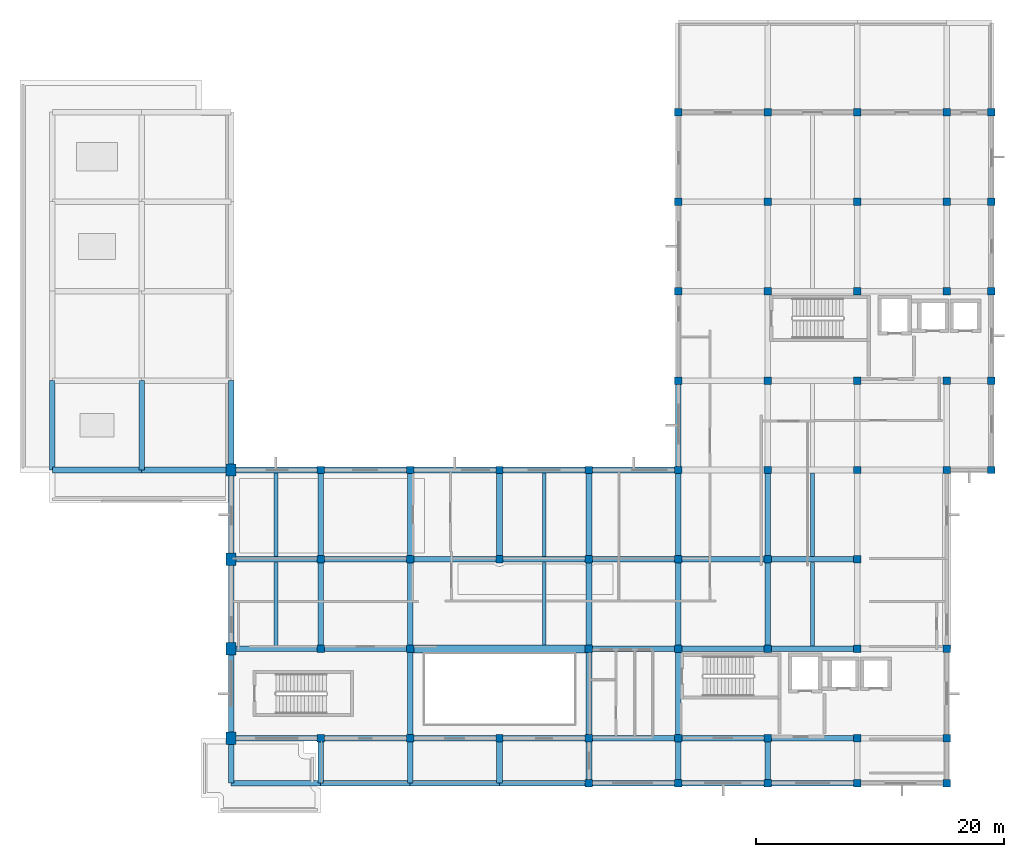
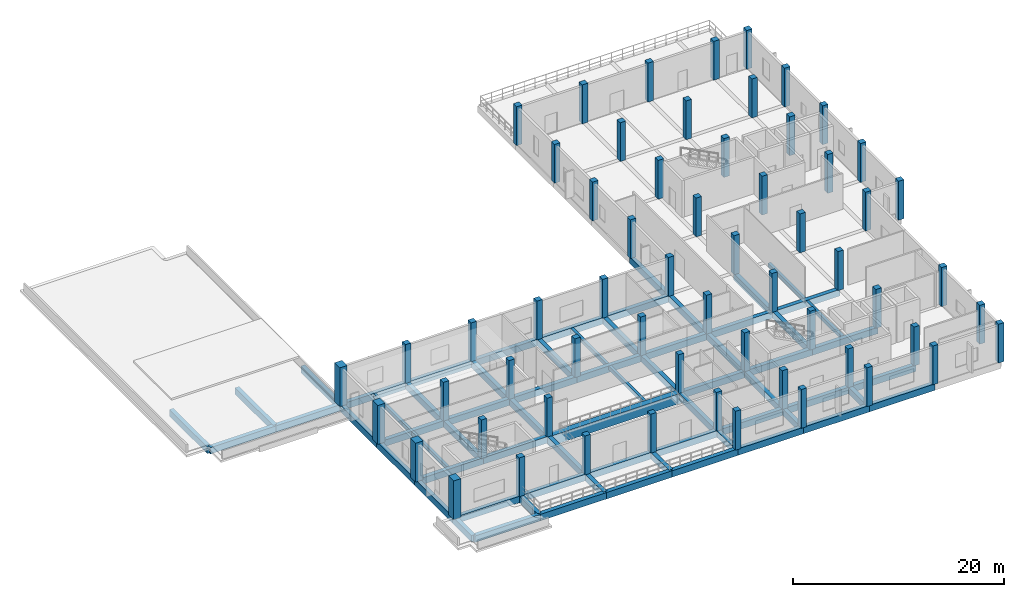
# One storey, part 1 of 14: 68 beams, 60 columns.
"""IFC4 building model written with IfcOpenShell, lengths in metres."""

from ifc_helpers import new_model, si_unit, direction, frame, origin, origin_2d, place, context, subcontext, project, spatial, rectangle, extrude, material, material_profile, profile_set, type_object, element, save


model = new_model("IFC4")

# Units and contexts
model_context = context("Model", 3, precision=1e-05, world=origin(), true_north=direction((0.0, 1.0)))
body_context = subcontext(model_context, "Body", "Model", "MODEL_VIEW")
ifc_project = project(units=[si_unit("LENGTHUNIT", "METRE"), si_unit("AREAUNIT", "SQUARE_METRE"), si_unit("VOLUMEUNIT", "CUBIC_METRE"), si_unit("PLANEANGLEUNIT", "RADIAN"), si_unit("MASSUNIT", "GRAM", prefix="KILO")], contexts=[model_context])

# Site, building, storey
site_placement = place(None, origin())
site = spatial("IfcSite", under=ifc_project, at=site_placement, CompositionType="ELEMENT")
building_placement = place(site_placement, origin())
building = spatial("IfcBuilding", under=site, at=building_placement, Name="Seraya Terrace Polytechnic", CompositionType="ELEMENT")
storey_placement = place(building_placement, frame((0.0, 0.0, 27.89990234375)))
storey = spatial("IfcBuildingStorey", under=building, at=storey_placement, Name="L06", CompositionType="ELEMENT", Elevation=27.89990234375)

# Columns
ifc_material = material(Name="Concrete C40/50", Category="concrete")
ifc_material_profile_1 = material_profile(ifc_material, rectangle(XDim=0.60009765625, YDim=0.60009765625, at=origin_2d()), Name="RC 600x600")
ifc_profile_set_1 = profile_set([ifc_material_profile_1], Name="Concrete C40/50")
column_type_1 = type_object("IfcColumnType", Name="C-09", PredefinedType="COLUMN", material=ifc_profile_set_1)
for number, where, z_axis, x_axis, name in (
    (1, (50.39990234375, 7.199951171875, 0.0), (0.0, 0.0, 1.0), (1.0, 0.0, 0.0), "Column C-09 L06 (50.4, 7.2)"),
    (2, (50.39990234375, 14.39990234375, 0.0), (0.0, 0.0, 1.0), (1.0, 0.0, 0.0), "Column C-09 L06 (50.4, 14.4)"),
    (3, (50.39990234375, 21.60009765625, 0.0), (0.0, 0.0, 1.0), (1.0, 0.0, 0.0), "Column C-09 L06 (50.4, 21.6)"),
    (4, (50.39990234375, 28.800048828125, 0.0), (0.0, 0.0, 1.0), (1.0, 0.0, 0.0), "Column C-09 L06 (50.4, 28.8)"),
    (5, (57.60009765625, 7.199951171875, 0.0), (0.0, 0.0, 1.0), (1.0, 0.0, 0.0), "Column C-09 L06 (57.6, 7.2)"),
    (6, (57.60009765625, 14.39990234375, 0.0), (0.0, 0.0, 1.0), (1.0, 0.0, 0.0), "Column C-09 L06 (57.6, 14.4)"),
    (7, (57.60009765625, 21.60009765625, 0.0), (0.0, 0.0, 1.0), (1.0, 0.0, 0.0), "Column C-09 L06 (57.6, 21.6)"),
    (8, (57.60009765625, 28.800048828125, 0.0), (0.0, 0.0, 1.0), (1.0, 0.0, 0.0), "Column C-09 L06 (57.6, 28.8)"),
    (9, (64.800048828125, 7.199951171875, 0.0), (0.0, 0.0, 1.0), (1.0, 0.0, 0.0), "Column C-09 L06 (64.8, 7.2)"),
    (10, (64.800048828125, 21.60009765625, 0.0), (0.0, 0.0, 1.0), (1.0, 0.0, 0.0), "Column C-09 L06 (64.8, 21.6)"),
    (11, (64.800048828125, 28.800048828125, 0.0), (0.0, 0.0, 1.0), (1.0, 0.0, 0.0), "Column C-09 L06 (64.8, 28.8)"),
    (12, (72.0, 3.60009765625, 0.0), (0.0, 0.0, 1.0), (1.0, 0.0, 0.0), "Column C-09 L06 (72.0, 3.6)"),
    (13, (72.0, 7.199951171875, 0.0), (0.0, 0.0, 1.0), (1.0, 0.0, 0.0), "Column C-09 L06 (72.0, 7.2)"),
    (14, (72.0, 14.39990234375, 0.0), (0.0, 0.0, 1.0), (1.0, 0.0, 0.0), "Column C-09 L06 (72.0, 14.4)"),
    (15, (72.0, 21.60009765625, 0.0), (0.0, 0.0, 1.0), (1.0, 0.0, 0.0), "Column C-09 L06 (72.0, 21.6)"),
    (16, (72.0, 28.800048828125, 0.0), (0.0, 0.0, 1.0), (1.0, 0.0, 0.0), "Column C-09 L06 (72.0, 28.8)"),
    (17, (79.199951171875, 3.60009765625, 0.0), (0.0, 0.0, 1.0), (1.0, 0.0, 0.0), "Column C-09 L06 (79.2, 3.6)"),
    (18, (79.199951171875, 7.199951171875, 0.0), (0.0, 0.0, 1.0), (1.0, 0.0, 0.0), "Column C-09 L06 (79.2, 7.2)"),
    (19, (79.199951171875, 14.39990234375, 0.0), (0.0, 0.0, 1.0), (1.0, 0.0, 0.0), "Column C-09 L06 (79.2, 14.4)"),
    (20, (79.199951171875, 21.60009765625, 0.0), (0.0, 0.0, 1.0), (1.0, 0.0, 0.0), "Column C-09 L06 (79.2, 21.6)"),
    (21, (79.199951171875, 28.800048828125, 0.0), (0.0, 0.0, 1.0), (1.0, 0.0, 0.0), "Column C-09 L06 (79.2, 28.8)"),
    (22, (79.199951171875, 36.0, 0.0), (0.0, 0.0, 1.0), (1.0, 0.0, 0.0), "Column C-09 L06 (79.2, 36.0)"),
    (23, (79.199951171875, 43.199951171875, 0.0), (0.0, 0.0, 1.0), (1.0, 0.0, 0.0), "Column C-09 L06 (79.2, 43.2)"),
    (24, (79.199951171875, 50.39990234375, 0.0), (0.0, 0.0, 1.0), (1.0, 0.0, 0.0), "Column C-09 L06 (79.2, 50.4)"),
    (25, (79.199951171875, 57.60009765625, 0.0), (0.0, 0.0, 1.0), (1.0, 0.0, 0.0), "Column C-09 L06 (79.2, 57.6)"),
    (26, (86.39990234375, 3.60009765625, 0.0), (0.0, 0.0, 1.0), (1.0, 0.0, 0.0), "Column C-09 L06 (86.4, 3.6)"),
    (27, (86.39990234375, 7.199951171875, 0.0), (0.0, 0.0, 1.0), (1.0, 0.0, 0.0), "Column C-09 L06 (86.4, 7.2)"),
    (28, (86.39990234375, 14.39990234375, 0.0), (0.0, 0.0, 1.0), (1.0, 0.0, 0.0), "Column C-09 L06 (86.4, 14.4)"),
    (29, (86.39990234375, 21.60009765625, 0.0), (0.0, 0.0, 1.0), (1.0, 0.0, 0.0), "Column C-09 L06 (86.4, 21.6)"),
    (30, (86.39990234375, 28.800048828125, 0.0), (0.0, 0.0, 1.0), (1.0, 0.0, 0.0), "Column C-09 L06 (86.4, 28.8)"),
    (31, (86.39990234375, 36.0, 0.0), (0.0, 0.0, 1.0), (1.0, 0.0, 0.0), "Column C-09 L06 (86.4, 36.0)"),
    (32, (86.39990234375, 43.199951171875, 0.0), (0.0, 0.0, 1.0), (1.0, 0.0, 0.0), "Column C-09 L06 (86.4, 43.2)"),
    (33, (86.39990234375, 50.39990234375, 0.0), (0.0, 0.0, 1.0), (1.0, 0.0, 0.0), "Column C-09 L06 (86.4, 50.4)"),
    (34, (86.39990234375, 57.60009765625, 0.0), (0.0, 0.0, 1.0), (1.0, 0.0, 0.0), "Column C-09 L06 (86.4, 57.6)"),
    (35, (93.60009765625, 3.60009765625, 0.0), (0.0, 0.0, 1.0), (1.0, 0.0, 0.0), "Column C-09 L06 (93.6, 3.6)"),
    (36, (93.60009765625, 7.199951171875, 0.0), (0.0, 0.0, 1.0), (1.0, 0.0, 0.0), "Column C-09 L06 (93.6, 7.2)"),
    (37, (93.60009765625, 14.39990234375, 0.0), (0.0, 0.0, 1.0), (1.0, 0.0, 0.0), "Column C-09 L06 (93.6, 14.4)"),
    (38, (93.60009765625, 21.60009765625, 0.0), (0.0, 0.0, 1.0), (1.0, 0.0, 0.0), "Column C-09 L06 (93.6, 21.6)"),
    (39, (93.60009765625, 28.800048828125, 0.0), (0.0, 0.0, 1.0), (1.0, 0.0, 0.0), "Column C-09 L06 (93.6, 28.8)"),
    (40, (93.60009765625, 36.0, 0.0), (0.0, 0.0, 1.0), (1.0, 0.0, 0.0), "Column C-09 L06 (93.6, 36.0)"),
    (41, (93.60009765625, 43.199951171875, 0.0), (0.0, 0.0, 1.0), (1.0, 0.0, 0.0), "Column C-09 L06 (93.6, 43.2)"),
    (42, (93.60009765625, 50.39990234375, 0.0), (0.0, 0.0, 1.0), (1.0, 0.0, 0.0), "Column C-09 L06 (93.6, 50.4)"),
    (43, (93.60009765625, 57.60009765625, 0.0), (0.0, 0.0, 1.0), (1.0, 0.0, 0.0), "Column C-09 L06 (93.6, 57.6)"),
    (44, (100.800048828125, 3.60009765625, 0.0), (0.0, 0.0, 1.0), (1.0, 0.0, 0.0), "Column C-09 L06 (100.8, 3.6)"),
    (45, (100.800048828125, 7.199951171875, 0.0), (0.0, 0.0, 1.0), (1.0, 0.0, 0.0), "Column C-09 L06 (100.8, 7.2)"),
    (46, (100.800048828125, 14.39990234375, 0.0), (0.0, 0.0, 1.0), (1.0, 0.0, 0.0), "Column C-09 L06 (100.8, 14.4)"),
    (47, (100.800048828125, 28.800048828125, 0.0), (0.0, 0.0, 1.0), (1.0, 0.0, 0.0), "Column C-09 L06 (100.8, 28.8)"),
    (48, (100.800048828125, 36.0, 0.0), (0.0, 0.0, 1.0), (1.0, 0.0, 0.0), "Column C-09 L06 (100.8, 36.0)"),
    (49, (100.800048828125, 43.199951171875, 0.0), (0.0, 0.0, 1.0), (1.0, 0.0, 0.0), "Column C-09 L06 (100.8, 43.2)"),
    (50, (100.800048828125, 50.39990234375, 0.0), (0.0, 0.0, 1.0), (1.0, 0.0, 0.0), "Column C-09 L06 (100.8, 50.4)"),
    (51, (100.800048828125, 57.60009765625, 0.0), (0.0, 0.0, 1.0), (1.0, 0.0, 0.0), "Column C-09 L06 (100.8, 57.6)"),
    (52, (104.39990234375, 28.800048828125, 0.0), (0.0, 0.0, 1.0), (1.0, 0.0, 0.0), "Column C-09 L06 (104.4, 28.8)"),
    (53, (104.39990234375, 36.0, 0.0), (0.0, 0.0, 1.0), (1.0, 0.0, 0.0), "Column C-09 L06 (104.4, 36.0)"),
    (54, (104.39990234375, 43.199951171875, 0.0), (0.0, 0.0, 1.0), (1.0, 0.0, 0.0), "Column C-09 L06 (104.4, 43.2)"),
    (55, (104.39990234375, 50.39990234375, 0.0), (0.0, 0.0, 1.0), (1.0, 0.0, 0.0), "Column C-09 L06 (104.4, 50.4)"),
    (56, (104.39990234375, 57.60009765625, 0.0), (0.0, 0.0, 1.0), (1.0, 0.0, 0.0), "Column C-09 L06 (104.4, 57.6)"),
):
    element("IfcColumn", number, at=place(storey_placement, frame(where, z_axis=z_axis, x_axis=x_axis)), inside=storey, type_object=column_type_1, Name=name, PredefinedType="COLUMN", context=body_context, shape_type="SweptSolid", body=[
        extrude(rectangle(XDim=0.60009765625, YDim=0.60009765625, at=origin_2d()), origin(), (0.0, 0.0, 1.0), 4.5),
    ])
ifc_material_profile_2 = material_profile(ifc_material, rectangle(XDim=0.800048828125, YDim=1.0, at=origin_2d()), Name="RC 800x1000")
ifc_profile_set_2 = profile_set([ifc_material_profile_2], Name="Concrete C40/50")
column_type_2 = type_object("IfcColumnType", Name="C-14", PredefinedType="COLUMN", material=ifc_profile_set_2)
for number, where, z_axis, x_axis, name in (
    (57, (43.199951171875, 7.199951171875, 0.0), (0.0, 0.0, 1.0), (1.0, 0.0, 0.0), "Column C-14 L06 (43.2, 7.2)"),
    (58, (43.199951171875, 14.39990234375, 0.0), (0.0, 0.0, 1.0), (1.0, 0.0, 0.0), "Column C-14 L06 (43.2, 14.4)"),
    (59, (43.199951171875, 21.60009765625, 0.0), (0.0, 0.0, 1.0), (1.0, 0.0, 0.0), "Column C-14 L06 (43.2, 21.6)"),
    (60, (43.199951171875, 28.800048828125, 0.0), (0.0, 0.0, 1.0), (1.0, 0.0, 0.0), "Column C-14 L06 (43.2, 28.8)"),
):
    element("IfcColumn", number, at=place(storey_placement, frame(where, z_axis=z_axis, x_axis=x_axis)), inside=storey, type_object=column_type_2, Name=name, PredefinedType="COLUMN", context=body_context, shape_type="SweptSolid", body=[
        extrude(rectangle(XDim=0.800048828125, YDim=1.0, at=origin_2d()), origin(), (0.0, 0.0, 1.0), 4.5),
    ])

# Beams
ifc_material_profile_3 = material_profile(ifc_material, rectangle(XDim=0.64990234375, YDim=1.14990234375, at=origin_2d()), Name="RC 650x1150")
ifc_profile_set_3 = profile_set([ifc_material_profile_3], Name="Concrete C40/50")
beam_type_1 = type_object("IfcBeamType", Name="BG-02", PredefinedType="USERDEFINED", material=ifc_profile_set_3)
beam_1_placement = place(storey_placement, frame((57.60009765625, 14.39990234375, -0.574951171875), z_axis=(1.0, 0.0, 0.0), x_axis=(0.0, 1.0, 0.0)))
element("IfcBeam", 61, at=beam_1_placement, inside=storey, type_object=beam_type_1, Name="Beam BG-02 L06 X (57.6..72.0, 14.4)", ObjectType="GIRDER", PredefinedType="USERDEFINED", context=body_context, shape_type="SweptSolid", body=[
    extrude(rectangle(XDim=0.64990234375, YDim=1.14990234375, at=origin_2d()), origin(), (0.0, 0.0, 1.0), 14.39990234375),
])
ifc_material_profile_4 = material_profile(ifc_material, rectangle(XDim=0.449951171875, YDim=0.75, at=origin_2d()), Name="RC 450x750")
ifc_profile_set_4 = profile_set([ifc_material_profile_4], Name="Concrete C40/50")
beam_type_2 = type_object("IfcBeamType", Name="BM-08", PredefinedType="BEAM", material=ifc_profile_set_4)
beam_2_placement = place(storey_placement, frame((43.199951171875, 3.60009765625, -0.375), z_axis=(1.0, 0.0, 0.0), x_axis=(0.0, 1.0, 0.0)))
element("IfcBeam", 62, at=beam_2_placement, inside=storey, type_object=beam_type_2, Name="Beam BM-08 L06 X (43.2..50.4, 3.6)", PredefinedType="BEAM", context=body_context, shape_type="SweptSolid", body=[
    extrude(rectangle(XDim=0.449951171875, YDim=0.75, at=origin_2d()), origin(), (0.0, 0.0, 1.0), 7.199951171875),
])
beam_3_placement = place(storey_placement, frame((50.39990234375, 3.60009765625, -0.375), z_axis=(1.0, 0.0, 0.0), x_axis=(0.0, 1.0, 0.0)))
element("IfcBeam", 63, at=beam_3_placement, inside=storey, type_object=beam_type_2, Name="Beam BM-08 L06 X (50.4..57.6, 3.6)", PredefinedType="BEAM", context=body_context, shape_type="SweptSolid", body=[
    extrude(rectangle(XDim=0.449951171875, YDim=0.75, at=origin_2d()), origin(), (0.0, 0.0, 1.0), 7.2001953125),
])
for number, where, z_axis, x_axis, name in (
    (64, (57.60009765625, 3.60009765625, -0.375), (1.0, 0.0, 0.0), (0.0, 1.0, 0.0), "Beam BM-08 L06 X (57.6..64.8, 3.6)"),
    (65, (64.800048828125, 3.60009765625, -0.375), (1.0, 0.0, 0.0), (0.0, 1.0, 0.0), "Beam BM-08 L06 X (64.8..72.0, 3.6)"),
    (66, (72.0, 3.60009765625, -0.375), (1.0, 0.0, 0.0), (0.0, 1.0, 0.0), "Beam BM-08 L06 X (72.0..79.2, 3.6)"),
    (67, (79.199951171875, 3.60009765625, -0.375), (1.0, 0.0, 0.0), (0.0, 1.0, 0.0), "Beam BM-08 L06 X (79.2..86.4, 3.6)"),
):
    element("IfcBeam", number, at=place(storey_placement, frame(where, z_axis=z_axis, x_axis=x_axis)), inside=storey, type_object=beam_type_2, Name=name, PredefinedType="BEAM", context=body_context, shape_type="SweptSolid", body=[
        extrude(rectangle(XDim=0.449951171875, YDim=0.75, at=origin_2d()), origin(), (0.0, 0.0, 1.0), 7.199951171875),
    ])
beam_4_placement = place(storey_placement, frame((86.39990234375, 3.60009765625, -0.375), z_axis=(1.0, 0.0, 0.0), x_axis=(0.0, 1.0, 0.0)))
element("IfcBeam", 68, at=beam_4_placement, inside=storey, type_object=beam_type_2, Name="Beam BM-08 L06 X (86.4..93.6, 3.6)", PredefinedType="BEAM", context=body_context, shape_type="SweptSolid", body=[
    extrude(rectangle(XDim=0.449951171875, YDim=0.75, at=origin_2d()), origin(), (0.0, 0.0, 1.0), 7.2001953125),
])
beam_5_placement = place(storey_placement, frame((43.199951171875, 7.199951171875, -0.375), z_axis=(1.0, 0.0, 0.0), x_axis=(0.0, 1.0, 0.0)))
element("IfcBeam", 69, at=beam_5_placement, inside=storey, type_object=beam_type_2, Name="Beam BM-08 L06 X (43.2..50.4, 7.2)", PredefinedType="BEAM", context=body_context, shape_type="SweptSolid", body=[
    extrude(rectangle(XDim=0.449951171875, YDim=0.75, at=origin_2d()), origin(), (0.0, 0.0, 1.0), 7.199951171875),
])
beam_6_placement = place(storey_placement, frame((50.39990234375, 7.199951171875, -0.375), z_axis=(1.0, 0.0, 0.0), x_axis=(0.0, 1.0, 0.0)))
element("IfcBeam", 70, at=beam_6_placement, inside=storey, type_object=beam_type_2, Name="Beam BM-08 L06 X (50.4..57.6, 7.2)", PredefinedType="BEAM", context=body_context, shape_type="SweptSolid", body=[
    extrude(rectangle(XDim=0.449951171875, YDim=0.75, at=origin_2d()), origin(), (0.0, 0.0, 1.0), 7.2001953125),
])
for number, where, z_axis, x_axis, name in (
    (71, (57.60009765625, 7.199951171875, -0.375), (1.0, 0.0, 0.0), (0.0, 1.0, 0.0), "Beam BM-08 L06 X (57.6..64.8, 7.2)"),
    (72, (64.800048828125, 7.199951171875, -0.375), (1.0, 0.0, 0.0), (0.0, 1.0, 0.0), "Beam BM-08 L06 X (64.8..72.0, 7.2)"),
    (73, (72.0, 7.199951171875, -0.375), (1.0, 0.0, 0.0), (0.0, 1.0, 0.0), "Beam BM-08 L06 X (72.0..79.2, 7.2)"),
    (74, (79.199951171875, 7.199951171875, -0.375), (1.0, 0.0, 0.0), (0.0, 1.0, 0.0), "Beam BM-08 L06 X (79.2..86.4, 7.2)"),
):
    element("IfcBeam", number, at=place(storey_placement, frame(where, z_axis=z_axis, x_axis=x_axis)), inside=storey, type_object=beam_type_2, Name=name, PredefinedType="BEAM", context=body_context, shape_type="SweptSolid", body=[
        extrude(rectangle(XDim=0.449951171875, YDim=0.75, at=origin_2d()), origin(), (0.0, 0.0, 1.0), 7.199951171875),
    ])
beam_7_placement = place(storey_placement, frame((86.39990234375, 7.199951171875, -0.375), z_axis=(1.0, 0.0, 0.0), x_axis=(0.0, 1.0, 0.0)))
element("IfcBeam", 75, at=beam_7_placement, inside=storey, type_object=beam_type_2, Name="Beam BM-08 L06 X (86.4..93.6, 7.2)", PredefinedType="BEAM", context=body_context, shape_type="SweptSolid", body=[
    extrude(rectangle(XDim=0.449951171875, YDim=0.75, at=origin_2d()), origin(), (0.0, 0.0, 1.0), 7.2001953125),
])
beam_8_placement = place(storey_placement, frame((43.199951171875, 14.39990234375, -0.375), z_axis=(1.0, 0.0, 0.0), x_axis=(0.0, 1.0, 0.0)))
element("IfcBeam", 76, at=beam_8_placement, inside=storey, type_object=beam_type_2, Name="Beam BM-08 L06 X (43.2..50.4, 14.4)", PredefinedType="BEAM", context=body_context, shape_type="SweptSolid", body=[
    extrude(rectangle(XDim=0.449951171875, YDim=0.75, at=origin_2d()), origin(), (0.0, 0.0, 1.0), 7.199951171875),
])
beam_9_placement = place(storey_placement, frame((50.39990234375, 14.39990234375, -0.375), z_axis=(1.0, 0.0, 0.0), x_axis=(0.0, 1.0, 0.0)))
element("IfcBeam", 77, at=beam_9_placement, inside=storey, type_object=beam_type_2, Name="Beam BM-08 L06 X (50.4..57.6, 14.4)", PredefinedType="BEAM", context=body_context, shape_type="SweptSolid", body=[
    extrude(rectangle(XDim=0.449951171875, YDim=0.75, at=origin_2d()), origin(), (0.0, 0.0, 1.0), 7.2001953125),
])
for number, where, z_axis, x_axis, name in (
    (78, (72.0, 14.39990234375, -0.375), (1.0, 0.0, 0.0), (0.0, 1.0, 0.0), "Beam BM-08 L06 X (72.0..79.2, 14.4)"),
    (79, (79.199951171875, 14.39990234375, -0.375), (1.0, 0.0, 0.0), (0.0, 1.0, 0.0), "Beam BM-08 L06 X (79.2..86.4, 14.4)"),
):
    element("IfcBeam", number, at=place(storey_placement, frame(where, z_axis=z_axis, x_axis=x_axis)), inside=storey, type_object=beam_type_2, Name=name, PredefinedType="BEAM", context=body_context, shape_type="SweptSolid", body=[
        extrude(rectangle(XDim=0.449951171875, YDim=0.75, at=origin_2d()), origin(), (0.0, 0.0, 1.0), 7.199951171875),
    ])
beam_10_placement = place(storey_placement, frame((86.39990234375, 14.39990234375, -0.375), z_axis=(1.0, 0.0, 0.0), x_axis=(0.0, 1.0, 0.0)))
element("IfcBeam", 80, at=beam_10_placement, inside=storey, type_object=beam_type_2, Name="Beam BM-08 L06 X (86.4..93.6, 14.4)", PredefinedType="BEAM", context=body_context, shape_type="SweptSolid", body=[
    extrude(rectangle(XDim=0.449951171875, YDim=0.75, at=origin_2d()), origin(), (0.0, 0.0, 1.0), 7.2001953125),
])
beam_11_placement = place(storey_placement, frame((43.199951171875, 21.60009765625, -0.375), z_axis=(1.0, 0.0, 0.0), x_axis=(0.0, 1.0, 0.0)))
element("IfcBeam", 81, at=beam_11_placement, inside=storey, type_object=beam_type_2, Name="Beam BM-08 L06 X (43.2..50.4, 21.6)", PredefinedType="BEAM", context=body_context, shape_type="SweptSolid", body=[
    extrude(rectangle(XDim=0.449951171875, YDim=0.75, at=origin_2d()), origin(), (0.0, 0.0, 1.0), 7.199951171875),
])
beam_12_placement = place(storey_placement, frame((50.39990234375, 21.60009765625, -0.375), z_axis=(1.0, 0.0, 0.0), x_axis=(0.0, 1.0, 0.0)))
element("IfcBeam", 82, at=beam_12_placement, inside=storey, type_object=beam_type_2, Name="Beam BM-08 L06 X (50.4..57.6, 21.6)", PredefinedType="BEAM", context=body_context, shape_type="SweptSolid", body=[
    extrude(rectangle(XDim=0.449951171875, YDim=0.75, at=origin_2d()), origin(), (0.0, 0.0, 1.0), 7.2001953125),
])
for number, where, z_axis, x_axis, name in (
    (83, (57.60009765625, 21.60009765625, -0.375), (1.0, 0.0, 0.0), (0.0, 1.0, 0.0), "Beam BM-08 L06 X (57.6..64.8, 21.6)"),
    (84, (64.800048828125, 21.60009765625, -0.375), (1.0, 0.0, 0.0), (0.0, 1.0, 0.0), "Beam BM-08 L06 X (64.8..72.0, 21.6)"),
    (85, (72.0, 21.60009765625, -0.375), (1.0, 0.0, 0.0), (0.0, 1.0, 0.0), "Beam BM-08 L06 X (72.0..79.2, 21.6)"),
    (86, (79.199951171875, 21.60009765625, -0.375), (1.0, 0.0, 0.0), (0.0, 1.0, 0.0), "Beam BM-08 L06 X (79.2..86.4, 21.6)"),
):
    element("IfcBeam", number, at=place(storey_placement, frame(where, z_axis=z_axis, x_axis=x_axis)), inside=storey, type_object=beam_type_2, Name=name, PredefinedType="BEAM", context=body_context, shape_type="SweptSolid", body=[
        extrude(rectangle(XDim=0.449951171875, YDim=0.75, at=origin_2d()), origin(), (0.0, 0.0, 1.0), 7.199951171875),
    ])
beam_13_placement = place(storey_placement, frame((86.39990234375, 21.60009765625, -0.375), z_axis=(1.0, 0.0, 0.0), x_axis=(0.0, 1.0, 0.0)))
element("IfcBeam", 87, at=beam_13_placement, inside=storey, type_object=beam_type_2, Name="Beam BM-08 L06 X (86.4..93.6, 21.6)", PredefinedType="BEAM", context=body_context, shape_type="SweptSolid", body=[
    extrude(rectangle(XDim=0.449951171875, YDim=0.75, at=origin_2d()), origin(), (0.0, 0.0, 1.0), 7.2001953125),
])
for number, where, z_axis, x_axis, name in (
    (88, (28.800048828125, 28.800048828125, -0.375), (1.0, 0.0, 0.0), (0.0, 1.0, 0.0), "Beam BM-08 L06 X (28.8..36.0, 28.8)"),
    (89, (36.0, 28.800048828125, -0.375), (1.0, 0.0, 0.0), (0.0, 1.0, 0.0), "Beam BM-08 L06 X (36.0..43.2, 28.8)"),
    (90, (43.199951171875, 28.800048828125, -0.375), (1.0, 0.0, 0.0), (0.0, 1.0, 0.0), "Beam BM-08 L06 X (43.2..50.4, 28.8)"),
):
    element("IfcBeam", number, at=place(storey_placement, frame(where, z_axis=z_axis, x_axis=x_axis)), inside=storey, type_object=beam_type_2, Name=name, PredefinedType="BEAM", context=body_context, shape_type="SweptSolid", body=[
        extrude(rectangle(XDim=0.449951171875, YDim=0.75, at=origin_2d()), origin(), (0.0, 0.0, 1.0), 7.199951171875),
    ])
beam_14_placement = place(storey_placement, frame((50.39990234375, 28.800048828125, -0.375), z_axis=(1.0, 0.0, 0.0), x_axis=(0.0, 1.0, 0.0)))
element("IfcBeam", 91, at=beam_14_placement, inside=storey, type_object=beam_type_2, Name="Beam BM-08 L06 X (50.4..57.6, 28.8)", PredefinedType="BEAM", context=body_context, shape_type="SweptSolid", body=[
    extrude(rectangle(XDim=0.449951171875, YDim=0.75, at=origin_2d()), origin(), (0.0, 0.0, 1.0), 7.2001953125),
])
for number, where, z_axis, x_axis, name in (
    (92, (57.60009765625, 28.800048828125, -0.375), (1.0, 0.0, 0.0), (0.0, 1.0, 0.0), "Beam BM-08 L06 X (57.6..64.8, 28.8)"),
    (93, (64.800048828125, 28.800048828125, -0.375), (1.0, 0.0, 0.0), (0.0, 1.0, 0.0), "Beam BM-08 L06 X (64.8..72.0, 28.8)"),
    (94, (72.0, 28.800048828125, -0.375), (1.0, 0.0, 0.0), (0.0, 1.0, 0.0), "Beam BM-08 L06 X (72.0..79.2, 28.8)"),
    (95, (28.800048828125, 28.800048828125, -0.375), (0.0, 1.0, 0.0), (-1.0, 0.0, 0.0), "Beam BM-08 L06 Y (28.8, 28.8..36.0)"),
    (96, (36.0, 28.800048828125, -0.375), (0.0, 1.0, 0.0), (-1.0, 0.0, 0.0), "Beam BM-08 L06 Y (36.0, 28.8..36.0)"),
):
    element("IfcBeam", number, at=place(storey_placement, frame(where, z_axis=z_axis, x_axis=x_axis)), inside=storey, type_object=beam_type_2, Name=name, PredefinedType="BEAM", context=body_context, shape_type="SweptSolid", body=[
        extrude(rectangle(XDim=0.449951171875, YDim=0.75, at=origin_2d()), origin(), (0.0, 0.0, 1.0), 7.199951171875),
    ])
beam_15_placement = place(storey_placement, frame((43.199951171875, 3.60009765625, -0.375), z_axis=(0.0, 1.0, 0.0), x_axis=(-1.0, 0.0, 0.0)))
element("IfcBeam", 97, at=beam_15_placement, inside=storey, type_object=beam_type_2, Name="Beam BM-08 L06 Y (43.2, 3.6..7.2)", PredefinedType="BEAM", context=body_context, shape_type="SweptSolid", body=[
    extrude(rectangle(XDim=0.449951171875, YDim=0.75, at=origin_2d()), origin(), (0.0, 0.0, 1.0), 3.599853515625),
])
beam_16_placement = place(storey_placement, frame((43.199951171875, 7.199951171875, -0.375), z_axis=(0.0, 1.0, 0.0), x_axis=(-1.0, 0.0, 0.0)))
element("IfcBeam", 98, at=beam_16_placement, inside=storey, type_object=beam_type_2, Name="Beam BM-08 L06 Y (43.2, 7.2..14.4)", PredefinedType="BEAM", context=body_context, shape_type="SweptSolid", body=[
    extrude(rectangle(XDim=0.449951171875, YDim=0.75, at=origin_2d()), origin(), (0.0, 0.0, 1.0), 7.199951171875),
])
beam_17_placement = place(storey_placement, frame((43.199951171875, 14.39990234375, -0.375), z_axis=(0.0, 1.0, 0.0), x_axis=(-1.0, 0.0, 0.0)))
element("IfcBeam", 99, at=beam_17_placement, inside=storey, type_object=beam_type_2, Name="Beam BM-08 L06 Y (43.2, 14.4..21.6)", PredefinedType="BEAM", context=body_context, shape_type="SweptSolid", body=[
    extrude(rectangle(XDim=0.449951171875, YDim=0.75, at=origin_2d()), origin(), (0.0, 0.0, 1.0), 7.2001953125),
])
for number, where, z_axis, x_axis, name in (
    (100, (43.199951171875, 21.60009765625, -0.375), (0.0, 1.0, 0.0), (-1.0, 0.0, 0.0), "Beam BM-08 L06 Y (43.2, 21.6..28.8)"),
    (101, (43.199951171875, 28.800048828125, -0.375), (0.0, 1.0, 0.0), (-1.0, 0.0, 0.0), "Beam BM-08 L06 Y (43.2, 28.8..36.0)"),
):
    element("IfcBeam", number, at=place(storey_placement, frame(where, z_axis=z_axis, x_axis=x_axis)), inside=storey, type_object=beam_type_2, Name=name, PredefinedType="BEAM", context=body_context, shape_type="SweptSolid", body=[
        extrude(rectangle(XDim=0.449951171875, YDim=0.75, at=origin_2d()), origin(), (0.0, 0.0, 1.0), 7.199951171875),
    ])
beam_18_placement = place(storey_placement, frame((50.39990234375, 3.60009765625, -0.375), z_axis=(0.0, 1.0, 0.0), x_axis=(-1.0, 0.0, 0.0)))
element("IfcBeam", 102, at=beam_18_placement, inside=storey, type_object=beam_type_2, Name="Beam BM-08 L06 Y (50.4, 3.6..7.2)", PredefinedType="BEAM", context=body_context, shape_type="SweptSolid", body=[
    extrude(rectangle(XDim=0.449951171875, YDim=0.75, at=origin_2d()), origin(), (0.0, 0.0, 1.0), 3.599853515625),
])
beam_19_placement = place(storey_placement, frame((50.39990234375, 14.39990234375, -0.375), z_axis=(0.0, 1.0, 0.0), x_axis=(-1.0, 0.0, 0.0)))
element("IfcBeam", 103, at=beam_19_placement, inside=storey, type_object=beam_type_2, Name="Beam BM-08 L06 Y (50.4, 14.4..21.6)", PredefinedType="BEAM", context=body_context, shape_type="SweptSolid", body=[
    extrude(rectangle(XDim=0.449951171875, YDim=0.75, at=origin_2d()), origin(), (0.0, 0.0, 1.0), 7.2001953125),
])
beam_20_placement = place(storey_placement, frame((50.39990234375, 21.60009765625, -0.375), z_axis=(0.0, 1.0, 0.0), x_axis=(-1.0, 0.0, 0.0)))
element("IfcBeam", 104, at=beam_20_placement, inside=storey, type_object=beam_type_2, Name="Beam BM-08 L06 Y (50.4, 21.6..28.8)", PredefinedType="BEAM", context=body_context, shape_type="SweptSolid", body=[
    extrude(rectangle(XDim=0.449951171875, YDim=0.75, at=origin_2d()), origin(), (0.0, 0.0, 1.0), 7.199951171875),
])
beam_21_placement = place(storey_placement, frame((57.60009765625, 3.60009765625, -0.375), z_axis=(0.0, 1.0, 0.0), x_axis=(-1.0, 0.0, 0.0)))
element("IfcBeam", 105, at=beam_21_placement, inside=storey, type_object=beam_type_2, Name="Beam BM-08 L06 Y (57.6, 3.6..7.2)", PredefinedType="BEAM", context=body_context, shape_type="SweptSolid", body=[
    extrude(rectangle(XDim=0.449951171875, YDim=0.75, at=origin_2d()), origin(), (0.0, 0.0, 1.0), 3.599853515625),
])
beam_22_placement = place(storey_placement, frame((57.60009765625, 7.199951171875, -0.375), z_axis=(0.0, 1.0, 0.0), x_axis=(-1.0, 0.0, 0.0)))
element("IfcBeam", 106, at=beam_22_placement, inside=storey, type_object=beam_type_2, Name="Beam BM-08 L06 Y (57.6, 7.2..14.4)", PredefinedType="BEAM", context=body_context, shape_type="SweptSolid", body=[
    extrude(rectangle(XDim=0.449951171875, YDim=0.75, at=origin_2d()), origin(), (0.0, 0.0, 1.0), 7.199951171875),
])
beam_23_placement = place(storey_placement, frame((57.60009765625, 14.39990234375, -0.375), z_axis=(0.0, 1.0, 0.0), x_axis=(-1.0, 0.0, 0.0)))
element("IfcBeam", 107, at=beam_23_placement, inside=storey, type_object=beam_type_2, Name="Beam BM-08 L06 Y (57.6, 14.4..21.6)", PredefinedType="BEAM", context=body_context, shape_type="SweptSolid", body=[
    extrude(rectangle(XDim=0.449951171875, YDim=0.75, at=origin_2d()), origin(), (0.0, 0.0, 1.0), 7.2001953125),
])
beam_24_placement = place(storey_placement, frame((57.60009765625, 21.60009765625, -0.375), z_axis=(0.0, 1.0, 0.0), x_axis=(-1.0, 0.0, 0.0)))
element("IfcBeam", 108, at=beam_24_placement, inside=storey, type_object=beam_type_2, Name="Beam BM-08 L06 Y (57.6, 21.6..28.8)", PredefinedType="BEAM", context=body_context, shape_type="SweptSolid", body=[
    extrude(rectangle(XDim=0.449951171875, YDim=0.75, at=origin_2d()), origin(), (0.0, 0.0, 1.0), 7.199951171875),
])
beam_25_placement = place(storey_placement, frame((64.800048828125, 3.60009765625, -0.375), z_axis=(0.0, 1.0, 0.0), x_axis=(-1.0, 0.0, 0.0)))
element("IfcBeam", 109, at=beam_25_placement, inside=storey, type_object=beam_type_2, Name="Beam BM-08 L06 Y (64.8, 3.6..7.2)", PredefinedType="BEAM", context=body_context, shape_type="SweptSolid", body=[
    extrude(rectangle(XDim=0.449951171875, YDim=0.75, at=origin_2d()), origin(), (0.0, 0.0, 1.0), 3.599853515625),
])
beam_26_placement = place(storey_placement, frame((64.800048828125, 21.60009765625, -0.375), z_axis=(0.0, 1.0, 0.0), x_axis=(-1.0, 0.0, 0.0)))
element("IfcBeam", 110, at=beam_26_placement, inside=storey, type_object=beam_type_2, Name="Beam BM-08 L06 Y (64.8, 21.6..28.8)", PredefinedType="BEAM", context=body_context, shape_type="SweptSolid", body=[
    extrude(rectangle(XDim=0.449951171875, YDim=0.75, at=origin_2d()), origin(), (0.0, 0.0, 1.0), 7.199951171875),
])
beam_27_placement = place(storey_placement, frame((72.0, 3.60009765625, -0.375), z_axis=(0.0, 1.0, 0.0), x_axis=(-1.0, 0.0, 0.0)))
element("IfcBeam", 111, at=beam_27_placement, inside=storey, type_object=beam_type_2, Name="Beam BM-08 L06 Y (72.0, 3.6..7.2)", PredefinedType="BEAM", context=body_context, shape_type="SweptSolid", body=[
    extrude(rectangle(XDim=0.449951171875, YDim=0.75, at=origin_2d()), origin(), (0.0, 0.0, 1.0), 3.599853515625),
])
beam_28_placement = place(storey_placement, frame((72.0, 7.199951171875, -0.375), z_axis=(0.0, 1.0, 0.0), x_axis=(-1.0, 0.0, 0.0)))
element("IfcBeam", 112, at=beam_28_placement, inside=storey, type_object=beam_type_2, Name="Beam BM-08 L06 Y (72.0, 7.2..14.4)", PredefinedType="BEAM", context=body_context, shape_type="SweptSolid", body=[
    extrude(rectangle(XDim=0.449951171875, YDim=0.75, at=origin_2d()), origin(), (0.0, 0.0, 1.0), 7.199951171875),
])
beam_29_placement = place(storey_placement, frame((72.0, 14.39990234375, -0.375), z_axis=(0.0, 1.0, 0.0), x_axis=(-1.0, 0.0, 0.0)))
element("IfcBeam", 113, at=beam_29_placement, inside=storey, type_object=beam_type_2, Name="Beam BM-08 L06 Y (72.0, 14.4..21.6)", PredefinedType="BEAM", context=body_context, shape_type="SweptSolid", body=[
    extrude(rectangle(XDim=0.449951171875, YDim=0.75, at=origin_2d()), origin(), (0.0, 0.0, 1.0), 7.2001953125),
])
beam_30_placement = place(storey_placement, frame((72.0, 21.60009765625, -0.375), z_axis=(0.0, 1.0, 0.0), x_axis=(-1.0, 0.0, 0.0)))
element("IfcBeam", 114, at=beam_30_placement, inside=storey, type_object=beam_type_2, Name="Beam BM-08 L06 Y (72.0, 21.6..28.8)", PredefinedType="BEAM", context=body_context, shape_type="SweptSolid", body=[
    extrude(rectangle(XDim=0.449951171875, YDim=0.75, at=origin_2d()), origin(), (0.0, 0.0, 1.0), 7.199951171875),
])
beam_31_placement = place(storey_placement, frame((79.199951171875, 3.60009765625, -0.375), z_axis=(0.0, 1.0, 0.0), x_axis=(-1.0, 0.0, 0.0)))
element("IfcBeam", 115, at=beam_31_placement, inside=storey, type_object=beam_type_2, Name="Beam BM-08 L06 Y (79.2, 3.6..7.2)", PredefinedType="BEAM", context=body_context, shape_type="SweptSolid", body=[
    extrude(rectangle(XDim=0.449951171875, YDim=0.75, at=origin_2d()), origin(), (0.0, 0.0, 1.0), 3.599853515625),
])
beam_32_placement = place(storey_placement, frame((79.199951171875, 7.199951171875, -0.375), z_axis=(0.0, 1.0, 0.0), x_axis=(-1.0, 0.0, 0.0)))
element("IfcBeam", 116, at=beam_32_placement, inside=storey, type_object=beam_type_2, Name="Beam BM-08 L06 Y (79.2, 7.2..14.4)", PredefinedType="BEAM", context=body_context, shape_type="SweptSolid", body=[
    extrude(rectangle(XDim=0.449951171875, YDim=0.75, at=origin_2d()), origin(), (0.0, 0.0, 1.0), 7.199951171875),
])
beam_33_placement = place(storey_placement, frame((79.199951171875, 14.39990234375, -0.375), z_axis=(0.0, 1.0, 0.0), x_axis=(-1.0, 0.0, 0.0)))
element("IfcBeam", 117, at=beam_33_placement, inside=storey, type_object=beam_type_2, Name="Beam BM-08 L06 Y (79.2, 14.4..21.6)", PredefinedType="BEAM", context=body_context, shape_type="SweptSolid", body=[
    extrude(rectangle(XDim=0.449951171875, YDim=0.75, at=origin_2d()), origin(), (0.0, 0.0, 1.0), 7.2001953125),
])
for number, where, z_axis, x_axis, name in (
    (118, (79.199951171875, 21.60009765625, -0.375), (0.0, 1.0, 0.0), (-1.0, 0.0, 0.0), "Beam BM-08 L06 Y (79.2, 21.6..28.8)"),
    (119, (79.199951171875, 28.800048828125, -0.375), (0.0, 1.0, 0.0), (-1.0, 0.0, 0.0), "Beam BM-08 L06 Y (79.2, 28.8..36.0)"),
):
    element("IfcBeam", number, at=place(storey_placement, frame(where, z_axis=z_axis, x_axis=x_axis)), inside=storey, type_object=beam_type_2, Name=name, PredefinedType="BEAM", context=body_context, shape_type="SweptSolid", body=[
        extrude(rectangle(XDim=0.449951171875, YDim=0.75, at=origin_2d()), origin(), (0.0, 0.0, 1.0), 7.199951171875),
    ])
beam_34_placement = place(storey_placement, frame((86.39990234375, 3.60009765625, -0.375), z_axis=(0.0, 1.0, 0.0), x_axis=(-1.0, 0.0, 0.0)))
element("IfcBeam", 120, at=beam_34_placement, inside=storey, type_object=beam_type_2, Name="Beam BM-08 L06 Y (86.4, 3.6..7.2)", PredefinedType="BEAM", context=body_context, shape_type="SweptSolid", body=[
    extrude(rectangle(XDim=0.449951171875, YDim=0.75, at=origin_2d()), origin(), (0.0, 0.0, 1.0), 3.599853515625),
])
beam_35_placement = place(storey_placement, frame((86.39990234375, 14.39990234375, -0.375), z_axis=(0.0, 1.0, 0.0), x_axis=(-1.0, 0.0, 0.0)))
element("IfcBeam", 121, at=beam_35_placement, inside=storey, type_object=beam_type_2, Name="Beam BM-08 L06 Y (86.4, 14.4..21.6)", PredefinedType="BEAM", context=body_context, shape_type="SweptSolid", body=[
    extrude(rectangle(XDim=0.449951171875, YDim=0.75, at=origin_2d()), origin(), (0.0, 0.0, 1.0), 7.2001953125),
])
beam_36_placement = place(storey_placement, frame((86.39990234375, 21.60009765625, -0.375), z_axis=(0.0, 1.0, 0.0), x_axis=(-1.0, 0.0, 0.0)))
element("IfcBeam", 122, at=beam_36_placement, inside=storey, type_object=beam_type_2, Name="Beam BM-08 L06 Y (86.4, 21.6..28.8)", PredefinedType="BEAM", context=body_context, shape_type="SweptSolid", body=[
    extrude(rectangle(XDim=0.449951171875, YDim=0.75, at=origin_2d()), origin(), (0.0, 0.0, 1.0), 7.199951171875),
])
ifc_material_profile_5 = material_profile(ifc_material, rectangle(XDim=0.300048828125, YDim=0.449951171875, at=origin_2d()), Name="RC 300x450")
ifc_profile_set_5 = profile_set([ifc_material_profile_5], Name="Concrete C40/50")
beam_type_3 = type_object("IfcBeamType", Name="JS-06", PredefinedType="JOIST", material=ifc_profile_set_5)
for number, where, z_axis, x_axis, name in (
    (123, (46.800048828125, 14.625, -0.224853515625), (0.0, 1.0, 0.0), (-1.0, 0.0, 0.0), "Secondary joist JS-06 L06"),
    (124, (46.800048828125, 21.824951171875, -0.224853515625), (0.0, 1.0, 0.0), (-1.0, 0.0, 0.0), "Secondary joist JS-06 L06"),
):
    element("IfcBeam", number, at=place(storey_placement, frame(where, z_axis=z_axis, x_axis=x_axis)), inside=storey, type_object=beam_type_3, Name=name, PredefinedType="JOIST", context=body_context, shape_type="SweptSolid", body=[
        extrude(rectangle(XDim=0.300048828125, YDim=0.449951171875, at=origin_2d()), origin(), (0.0, 0.0, 1.0), 6.75),
    ])
beam_37_placement = place(storey_placement, frame((68.39990234375, 14.72509765625, -0.224853515625), z_axis=(0.0, 1.0, 0.0), x_axis=(-1.0, 0.0, 0.0)))
element("IfcBeam", 125, at=beam_37_placement, inside=storey, type_object=beam_type_3, Name="Secondary joist JS-06 L06", PredefinedType="JOIST", context=body_context, shape_type="SweptSolid", body=[
    extrude(rectangle(XDim=0.300048828125, YDim=0.449951171875, at=origin_2d()), origin(), (0.0, 0.0, 1.0), 6.64990234375),
])
for number, where, z_axis, x_axis, name in (
    (126, (68.39990234375, 21.824951171875, -0.224853515625), (0.0, 1.0, 0.0), (-1.0, 0.0, 0.0), "Secondary joist JS-06 L06"),
    (127, (90.0, 14.625, -0.224853515625), (0.0, 1.0, 0.0), (-1.0, 0.0, 0.0), "Secondary joist JS-06 L06"),
    (128, (90.0, 21.824951171875, -0.224853515625), (0.0, 1.0, 0.0), (-1.0, 0.0, 0.0), "Secondary joist JS-06 L06"),
):
    element("IfcBeam", number, at=place(storey_placement, frame(where, z_axis=z_axis, x_axis=x_axis)), inside=storey, type_object=beam_type_3, Name=name, PredefinedType="JOIST", context=body_context, shape_type="SweptSolid", body=[
        extrude(rectangle(XDim=0.300048828125, YDim=0.449951171875, at=origin_2d()), origin(), (0.0, 0.0, 1.0), 6.75),
    ])

save(model, "model.ifc")
